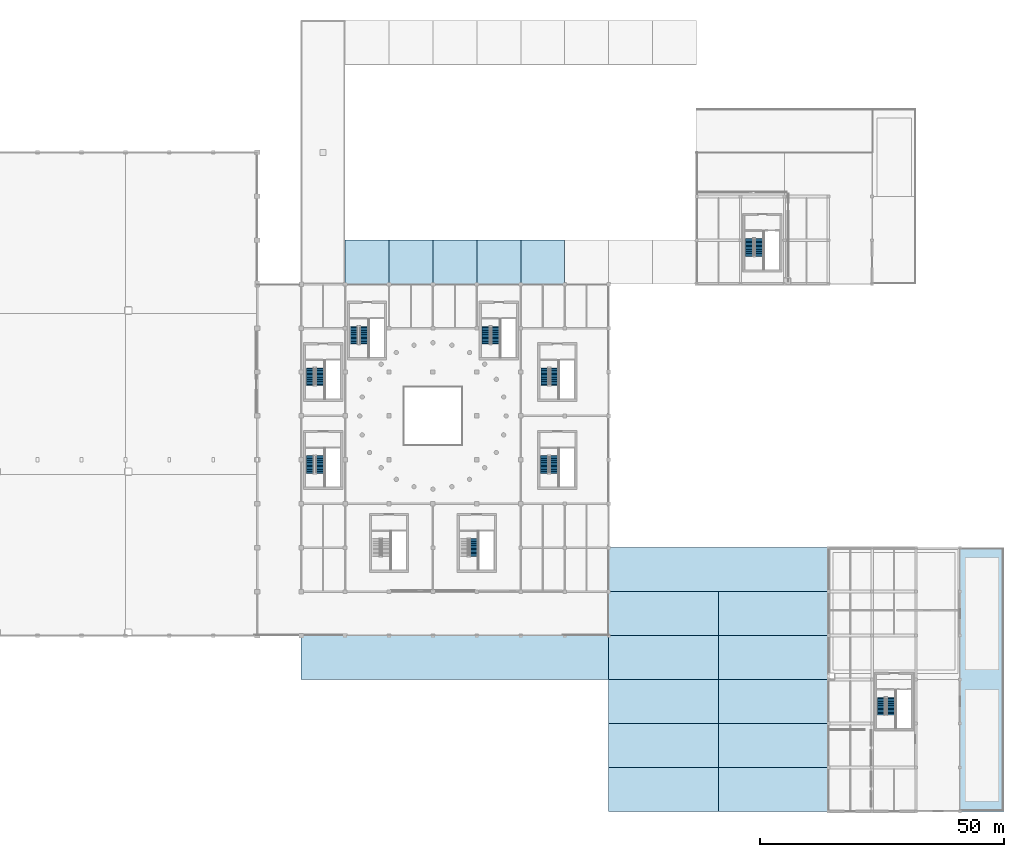
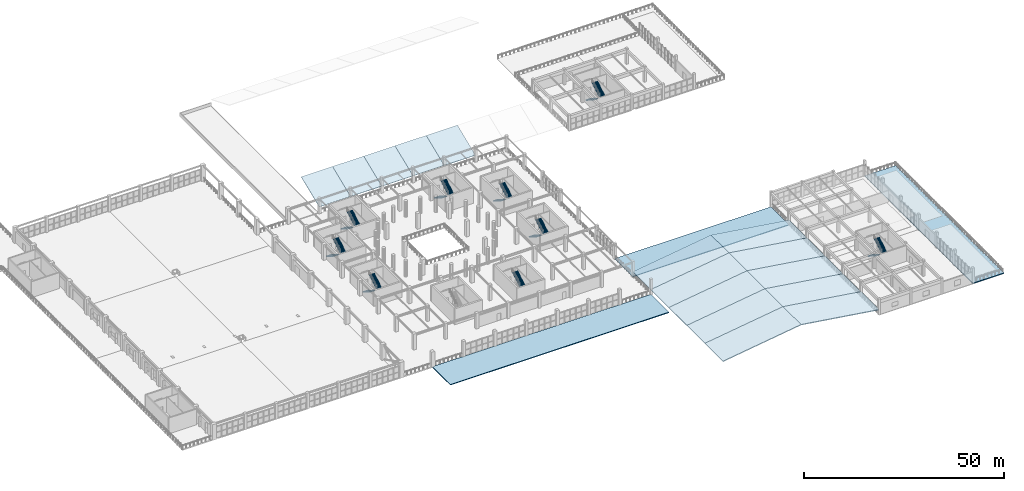
# One storey, part 68 of 89: 18 roofs, 17 stair flights, 9 elements without a shape of their own.
"""IFC4 building model written with IfcOpenShell, lengths in metres."""

import ifcopenshell
import ifcopenshell.guid

model = None  # the IFC model being written
_history = None  # IfcOwnerHistory: only IFC2X3 demands one
_inside = {}  # id of a spatial element -> (the spatial element, [elements in it])
_under = {}  # id of a project, library or spatial element -> (it, [spatial elements below it])
_declared = {}  # id of a project -> (the project, [libraries it declares])
_typed = {}  # id of a type object -> (the type object, [elements of that type])
_made_of = {}  # id of a material, layer set ... -> (it, [elements and type objects made of it])


def new_model(schema):
    """Start an empty IFC model of exactly this schema.

    Asked for "IFC4X3", IfcOpenShell would pick the latest addendum, in which some entities
    have other attributes; the version numbers below select the first issue.
    IFC2X3 requires an IfcOwnerHistory on every rooted entity: one is made here for all.
    """
    global model, _history
    if schema == "IFC4X3":
        model = ifcopenshell.file(schema_version=(4, 3, 0, 0))
    else:
        model = ifcopenshell.file(schema=schema)
    _inside.clear()
    _under.clear()
    _declared.clear()
    _typed.clear()
    _made_of.clear()
    _history = None
    if model.schema == "IFC2X3":
        org = make("IfcOrganization", Name="unknown")
        user = make(
            "IfcPersonAndOrganization",
            ThePerson=make("IfcPerson", FamilyName="unknown"),
            TheOrganization=org,
        )
        app = make(
            "IfcApplication",
            ApplicationDeveloper=org,
            Version="unknown",
            ApplicationFullName="unknown",
            ApplicationIdentifier="unknown",
        )
        _history = make(
            "IfcOwnerHistory",
            OwningUser=user,
            OwningApplication=app,
            ChangeAction="ADDED",
            CreationDate=0,
        )
    return model


def make(cls, **values):
    """One entity of the class cls with the attributes given. An attribute that is None is left unset."""
    return model.create_entity(
        cls, **{name: value for name, value in values.items() if value is not None}
    )


def rooted(cls, **values):
    """An entity with a GlobalId (a new one), such as an element, a storey or a relation."""
    return make(cls, GlobalId=ifcopenshell.guid.new(), OwnerHistory=_history, **values)


def si_unit(unit_type, name, prefix=None):
    """IfcSIUnit, for example si_unit("LENGTHUNIT", "METRE", prefix="MILLI")."""
    return make("IfcSIUnit", UnitType=unit_type, Prefix=prefix, Name=name)


def assignment(units):
    """IfcUnitAssignment: the units of a project."""
    return None if units is None else make("IfcUnitAssignment", Units=units)


def point(xyz):
    """IfcCartesianPoint."""
    return None if xyz is None else make("IfcCartesianPoint", Coordinates=xyz)


def direction(xyz):
    """IfcDirection."""
    return None if xyz is None else make("IfcDirection", DirectionRatios=xyz)


def frame(location, z_axis=None, x_axis=None):
    """IfcAxis2Placement3D, a coordinate frame: its origin and axes. An axis left out is left unset."""
    return make(
        "IfcAxis2Placement3D",
        Location=point(location),
        Axis=direction(z_axis),
        RefDirection=direction(x_axis),
    )


def origin():
    """The frame at (0, 0, 0) with its axes left unset."""
    return frame((0.0, 0.0, 0.0))


def place(relative_to, where):
    """IfcLocalPlacement: puts the frame where relative to a parent placement (None: the world)."""
    return make(
        "IfcLocalPlacement", PlacementRelTo=relative_to, RelativePlacement=where
    )


def context(
    kind, dimensions, precision=None, world=None, true_north=None, identifier=None
):
    """IfcGeometricRepresentationContext, for example the 3D "Model" context."""
    return make(
        "IfcGeometricRepresentationContext",
        ContextIdentifier=identifier,
        ContextType=kind,
        CoordinateSpaceDimension=dimensions,
        Precision=precision,
        WorldCoordinateSystem=world,
        TrueNorth=true_north,
    )


def subcontext(parent, identifier, kind, view, scale=None):
    """IfcGeometricRepresentationSubContext, for example "Body" below "Model"."""
    return make(
        "IfcGeometricRepresentationSubContext",
        ContextIdentifier=identifier,
        ContextType=kind,
        ParentContext=parent,
        TargetScale=scale,
        TargetView=view,
    )


def project(units=None, contexts=None):
    """IfcProject with its units and contexts."""
    return rooted(
        "IfcProject",
        Name="project",
        RepresentationContexts=contexts,
        UnitsInContext=assignment(units),
    )


def spatial(cls, under=None, at=None, **own):
    """A site, building, storey or space (cls), placed at a placement, below another one or the project."""
    s = rooted(cls, ObjectPlacement=at, **own)
    if under is not None:
        _under.setdefault(under.id(), (under, []))[1].append(s)
    return s


def polyline(points):
    """IfcPolyline through the points."""
    return make("IfcPolyline", Points=[point(p) for p in points])


def outline(outer, holes=None, kind="AREA"):
    """IfcArbitraryClosedProfileDef: a profile drawn as a closed curve; with holes, ...WithVoids."""
    if holes is None:
        return make("IfcArbitraryClosedProfileDef", ProfileType=kind, OuterCurve=outer)
    return make(
        "IfcArbitraryProfileDefWithVoids",
        ProfileType=kind,
        OuterCurve=outer,
        InnerCurves=holes,
    )


def extrude(swept, where, along, depth):
    """IfcExtrudedAreaSolid: the profile swept, set in the frame where, extruded along a direction by depth."""
    return make(
        "IfcExtrudedAreaSolid",
        SweptArea=swept,
        Position=where,
        ExtrudedDirection=direction(along),
        Depth=depth,
    )


def shape(context_of_items, identifier, shape_type, items):
    """IfcShapeRepresentation: the items that make up one representation, for example the "Body"."""
    return make(
        "IfcShapeRepresentation",
        ContextOfItems=context_of_items,
        RepresentationIdentifier=identifier,
        RepresentationType=shape_type,
        Items=items,
    )


def material(Name=None, Category=None):
    """IfcMaterial."""
    return make("IfcMaterial", Name=Name, Category=Category)


def layer(
    of_material, thickness, ventilated=None, Name=None, Category=None, Priority=None
):
    """IfcMaterialLayer: one layer of a wall or slab, of a material (None: an air gap)."""
    return make(
        "IfcMaterialLayer",
        Material=of_material,
        LayerThickness=thickness,
        IsVentilated=ventilated,
        Name=Name,
        Category=Category,
        Priority=Priority,
    )


def layer_set(layers, Name=None):
    """IfcMaterialLayerSet."""
    return make("IfcMaterialLayerSet", MaterialLayers=layers, LayerSetName=Name)


def made_of(thing, what):
    """Note that an element or type object is made of a material, layer set ...; save() writes the relation."""
    if what is not None:
        _made_of.setdefault(what.id(), (what, []))[1].append(thing)
    return thing


def type_object(cls, material=None, **own):
    """A type object (cls), such as IfcWallType, which elements share."""
    return made_of(rooted(cls, **own), material)


def element(
    cls,
    number,
    at=None,
    inside=None,
    cuts=None,
    type_object=None,
    material=None,
    context=None,
    identifier="Body",
    shape_type=None,
    held_by="IfcProductDefinitionShape",
    body=None,
    shapes=None,
    **own,
):
    """One element of the class cls, such as IfcWall. Its Tag is "e" and its number.

    at: its placement. inside: the storey or other place that contains it. cuts: it is an
    opening in that element (IfcRelVoidsElement). A single representation is given by context,
    identifier, shape_type and body (its items); several are given by shapes. held_by: the class
    of the entity that holds the representations. save() writes the other relations.
    """
    e = rooted(cls, Tag="e%d" % number, ObjectPlacement=at, **own)
    if body is not None:
        shapes = [shape(context, identifier, shape_type, body)]
    if shapes is not None:
        e.Representation = make(held_by, Representations=shapes)
    if inside is not None:
        _inside.setdefault(inside.id(), (inside, []))[1].append(e)
    if cuts is not None:
        rooted(
            "IfcRelVoidsElement", RelatingBuildingElement=cuts, RelatedOpeningElement=e
        )
    if type_object is not None:
        _typed.setdefault(type_object.id(), (type_object, []))[1].append(e)
    return made_of(e, material)


def aggregate(whole, parts):
    """IfcRelAggregates: a whole, such as a stair, and the parts it consists of."""
    return rooted("IfcRelAggregates", RelatingObject=whole, RelatedObjects=parts)


def save(model, path):
    """Write the relations noted so far, then the file.

    IfcRelAggregates (storeys below a building ...), IfcRelContainedInSpatialStructure (elements
    in a storey), IfcRelDefinesByType, IfcRelAssociatesMaterial and IfcRelDeclares: one each for
    every whole, place, type object, material and project.
    """
    for whole, parts in _under.values():
        aggregate(whole, parts)
    for where, things in _inside.values():
        rooted(
            "IfcRelContainedInSpatialStructure",
            RelatedElements=things,
            RelatingStructure=where,
        )
    for kind, things in _typed.values():
        rooted("IfcRelDefinesByType", RelatedObjects=things, RelatingType=kind)
    for what, things in _made_of.values():
        rooted("IfcRelAssociatesMaterial", RelatedObjects=things, RelatingMaterial=what)
    for by, libraries in _declared.values():
        rooted("IfcRelDeclares", RelatingContext=by, RelatedDefinitions=libraries)
    model.write(path)


model = new_model("IFC4")

# Units and contexts
model_context = context("Model", 3, precision=1e-05, world=origin(), true_north=direction((0.0, 1.0)))
body_context = subcontext(model_context, "Body", "Model", "MODEL_VIEW")
ifc_project = project(units=[si_unit("LENGTHUNIT", "METRE"), si_unit("AREAUNIT", "SQUARE_METRE"), si_unit("VOLUMEUNIT", "CUBIC_METRE"), si_unit("PLANEANGLEUNIT", "RADIAN"), si_unit("MASSUNIT", "GRAM", prefix="KILO")], contexts=[model_context])

# Site, building, storey
site_placement = place(None, origin())
site = spatial("IfcSite", under=ifc_project, at=site_placement, CompositionType="ELEMENT")
building_placement = place(site_placement, origin())
building = spatial("IfcBuilding", under=site, at=building_placement, Name="Dornveld Trade and Exhibition Forum", CompositionType="ELEMENT")
storey_placement = place(building_placement, frame((0.0, 0.0, 12.0)))
storey = spatial("IfcBuildingStorey", under=building, at=storey_placement, Name="L02", CompositionType="ELEMENT", Elevation=12.0)

# Stair, stair flights
ifc_material_1 = material(Name="Concrete C40/50", Category="concrete")
stair_type_1 = type_object("IfcStairType", Name="ST-2RET-480A", PredefinedType="HALF_TURN_STAIR", material=ifc_material_1)
stair_1_placement = place(storey_placement, origin())
stair_1 = element("IfcStair", 1, at=stair_1_placement, inside=storey, type_object=stair_type_1, Name="CORE-01 escape stair L02 to L03", PredefinedType="HALF_TURN_STAIR")
ifc_material_2 = material(Name="Concrete C40/50", Category="concrete")
ifc_layer_1 = layer(ifc_material_2, 0.179931640625)
ifc_layer_set_1 = layer_set([ifc_layer_1], Name="Concrete C40/50")
stair_flight_type_1 = type_object("IfcStairFlightType", Name="STF-155", PredefinedType="STRAIGHT", material=ifc_layer_set_1)
stair_flight_1_placement = place(storey_placement, frame((139.8798828125, 90.85009765625, 0.0), z_axis=(0.0, 0.0, 1.0), x_axis=(0.0, -1.0, 0.0)))
stair_flight_1 = element("IfcStairFlight", 2, at=stair_flight_1_placement, type_object=stair_flight_type_1, Name="ST-01-L02 flight 1", NumberOfRisers=14, NumberOfTreads=13, PredefinedType="STRAIGHT", RiserHeight=0.171428571, TreadLength=0.28, context=body_context, shape_type="SweptSolid", body=[
    extrude(outline(polyline([(0.0, 0.0), (0.0, 0.17138671875), (0.280029296875, 0.17138671875), (0.280029296875, 0.3427734375), (0.56005859375, 0.3427734375), (0.56005859375, 0.514404296875), (0.840087890625, 0.514404296875), (0.840087890625, 0.685791015625), (1.1201171875, 0.685791015625), (1.1201171875, 0.857177734375), (1.39990234375, 0.857177734375), (1.39990234375, 1.028564453125), (1.679931640625, 1.028564453125), (1.679931640625, 1.199951171875), (1.9599609375, 1.199951171875), (1.9599609375, 1.371337890625), (2.239990234375, 1.371337890625), (2.239990234375, 1.54296875), (2.52001953125, 1.54296875), (2.52001953125, 1.71435546875), (2.800048828125, 1.71435546875), (2.800048828125, 1.8857421875), (3.080078125, 1.8857421875), (3.080078125, 2.05712890625), (3.360107421875, 2.05712890625), (3.360107421875, 2.228515625), (3.639892578125, 2.228515625), (3.639892578125, 2.39990234375), (3.639892578125, 2.041015625), (0.30615234375, 0.0), (0.0, 0.0)])), frame((0.0, 0.77490234375, 0.0), z_axis=(0.0, -1.0, 0.0), x_axis=(1.0, 0.0, 0.0)), (0.0, 0.0, 1.0), 1.550048828125),
])
stair_flight_2_placement = place(storey_placement, frame((141.820068359375, 87.2099609375, 2.39990234375), z_axis=(0.0, 0.0, 1.0), x_axis=(0.0, 1.0, 0.0)))
stair_flight_2 = element("IfcStairFlight", 3, at=stair_flight_2_placement, type_object=stair_flight_type_1, Name="ST-01-L02 flight 2", NumberOfRisers=14, NumberOfTreads=13, PredefinedType="STRAIGHT", RiserHeight=0.171428571, TreadLength=0.28, context=body_context, shape_type="SweptSolid", body=[
    extrude(outline(polyline([(0.0, 0.0), (0.0, 0.17138671875), (0.280029296875, 0.17138671875), (0.280029296875, 0.3427734375), (0.56005859375, 0.3427734375), (0.56005859375, 0.514404296875), (0.840087890625, 0.514404296875), (0.840087890625, 0.685791015625), (1.1201171875, 0.685791015625), (1.1201171875, 0.857177734375), (1.39990234375, 0.857177734375), (1.39990234375, 1.028564453125), (1.679931640625, 1.028564453125), (1.679931640625, 1.199951171875), (1.9599609375, 1.199951171875), (1.9599609375, 1.371337890625), (2.239990234375, 1.371337890625), (2.239990234375, 1.54296875), (2.52001953125, 1.54296875), (2.52001953125, 1.71435546875), (2.800048828125, 1.71435546875), (2.800048828125, 1.8857421875), (3.080078125, 1.8857421875), (3.080078125, 2.05712890625), (3.360107421875, 2.05712890625), (3.360107421875, 2.228515625), (3.639892578125, 2.228515625), (3.639892578125, 2.39990234375), (3.639892578125, 2.041015625), (0.30615234375, 0.0), (0.0, 0.0)])), frame((0.0, 0.77490234375, 0.0), z_axis=(0.0, -1.0, 0.0), x_axis=(1.0, 0.0, 0.0)), (0.0, 0.0, 1.0), 1.550048828125),
])
aggregate(stair_1, [stair_flight_1, stair_flight_2])

stair_2_placement = place(storey_placement, origin())
stair_2 = element("IfcStair", 4, at=stair_2_placement, inside=storey, type_object=stair_type_1, Name="CORE-03 escape stair L02 to L03", PredefinedType="HALF_TURN_STAIR")
stair_flight_3_placement = place(storey_placement, frame((100.8798828125, 99.35009765625, 0.0), z_axis=(0.0, 0.0, 1.0), x_axis=(0.0, -1.0, 0.0)))
stair_flight_3 = element("IfcStairFlight", 5, at=stair_flight_3_placement, type_object=stair_flight_type_1, Name="ST-03-L02 flight 1", NumberOfRisers=14, NumberOfTreads=13, PredefinedType="STRAIGHT", RiserHeight=0.171428571, TreadLength=0.28, context=body_context, shape_type="SweptSolid", body=[
    extrude(outline(polyline([(0.0, 0.0), (0.0, 0.17138671875), (0.280029296875, 0.17138671875), (0.280029296875, 0.3427734375), (0.56005859375, 0.3427734375), (0.56005859375, 0.514404296875), (0.840087890625, 0.514404296875), (0.840087890625, 0.685791015625), (1.1201171875, 0.685791015625), (1.1201171875, 0.857177734375), (1.39990234375, 0.857177734375), (1.39990234375, 1.028564453125), (1.679931640625, 1.028564453125), (1.679931640625, 1.199951171875), (1.9599609375, 1.199951171875), (1.9599609375, 1.371337890625), (2.239990234375, 1.371337890625), (2.239990234375, 1.54296875), (2.52001953125, 1.54296875), (2.52001953125, 1.71435546875), (2.800048828125, 1.71435546875), (2.800048828125, 1.8857421875), (3.080078125, 1.8857421875), (3.080078125, 2.05712890625), (3.360107421875, 2.05712890625), (3.360107421875, 2.228515625), (3.639892578125, 2.228515625), (3.639892578125, 2.39990234375), (3.639892578125, 2.041015625), (0.30615234375, 0.0), (0.0, 0.0)])), frame((0.0, 0.77490234375, 0.0), z_axis=(0.0, -1.0, 0.0), x_axis=(1.0, 0.0, 0.0)), (0.0, 0.0, 1.0), 1.550048828125),
])
stair_flight_4_placement = place(storey_placement, frame((102.820068359375, 95.7099609375, 2.39990234375), z_axis=(0.0, 0.0, 1.0), x_axis=(0.0, 1.0, 0.0)))
stair_flight_4 = element("IfcStairFlight", 6, at=stair_flight_4_placement, type_object=stair_flight_type_1, Name="ST-03-L02 flight 2", NumberOfRisers=14, NumberOfTreads=13, PredefinedType="STRAIGHT", RiserHeight=0.171428571, TreadLength=0.28, context=body_context, shape_type="SweptSolid", body=[
    extrude(outline(polyline([(0.0, 0.0), (0.0, 0.17138671875), (0.280029296875, 0.17138671875), (0.280029296875, 0.3427734375), (0.56005859375, 0.3427734375), (0.56005859375, 0.514404296875), (0.840087890625, 0.514404296875), (0.840087890625, 0.685791015625), (1.1201171875, 0.685791015625), (1.1201171875, 0.857177734375), (1.39990234375, 0.857177734375), (1.39990234375, 1.028564453125), (1.679931640625, 1.028564453125), (1.679931640625, 1.199951171875), (1.9599609375, 1.199951171875), (1.9599609375, 1.371337890625), (2.239990234375, 1.371337890625), (2.239990234375, 1.54296875), (2.52001953125, 1.54296875), (2.52001953125, 1.71435546875), (2.800048828125, 1.71435546875), (2.800048828125, 1.8857421875), (3.080078125, 1.8857421875), (3.080078125, 2.05712890625), (3.360107421875, 2.05712890625), (3.360107421875, 2.228515625), (3.639892578125, 2.228515625), (3.639892578125, 2.39990234375), (3.639892578125, 2.041015625), (0.30615234375, 0.0), (0.0, 0.0)])), frame((0.0, 0.77490234375, 0.0), z_axis=(0.0, -1.0, 0.0), x_axis=(1.0, 0.0, 0.0)), (0.0, 0.0, 1.0), 1.550048828125),
])
aggregate(stair_2, [stair_flight_3, stair_flight_4])

stair_3_placement = place(storey_placement, origin())
stair_3 = element("IfcStair", 7, at=stair_3_placement, inside=storey, type_object=stair_type_1, Name="CORE-05 escape stair L02 to L03", PredefinedType="HALF_TURN_STAIR")
stair_flight_5_placement = place(storey_placement, frame((91.8798828125, 72.85009765625, 0.0), z_axis=(0.0, 0.0, 1.0), x_axis=(0.0, -1.0, 0.0)))
stair_flight_5 = element("IfcStairFlight", 8, at=stair_flight_5_placement, type_object=stair_flight_type_1, Name="ST-05-L02 flight 1", NumberOfRisers=14, NumberOfTreads=13, PredefinedType="STRAIGHT", RiserHeight=0.171428571, TreadLength=0.28, context=body_context, shape_type="SweptSolid", body=[
    extrude(outline(polyline([(0.0, 0.0), (0.0, 0.17138671875), (0.280029296875, 0.17138671875), (0.280029296875, 0.3427734375), (0.56005859375, 0.3427734375), (0.56005859375, 0.514404296875), (0.840087890625, 0.514404296875), (0.840087890625, 0.685791015625), (1.1201171875, 0.685791015625), (1.1201171875, 0.857177734375), (1.39990234375, 0.857177734375), (1.39990234375, 1.028564453125), (1.679931640625, 1.028564453125), (1.679931640625, 1.199951171875), (1.9599609375, 1.199951171875), (1.9599609375, 1.371337890625), (2.239990234375, 1.371337890625), (2.239990234375, 1.54296875), (2.52001953125, 1.54296875), (2.52001953125, 1.71435546875), (2.800048828125, 1.71435546875), (2.800048828125, 1.8857421875), (3.080078125, 1.8857421875), (3.080078125, 2.05712890625), (3.360107421875, 2.05712890625), (3.360107421875, 2.228515625), (3.639892578125, 2.228515625), (3.639892578125, 2.39990234375), (3.639892578125, 2.041015625), (0.30615234375, 0.0), (0.0, 0.0)])), frame((0.0, 0.77490234375, 0.0), z_axis=(0.0, -1.0, 0.0), x_axis=(1.0, 0.0, 0.0)), (0.0, 0.0, 1.0), 1.550048828125),
])
stair_flight_6_placement = place(storey_placement, frame((93.820068359375, 69.2099609375, 2.39990234375), z_axis=(0.0, 0.0, 1.0), x_axis=(0.0, 1.0, 0.0)))
stair_flight_6 = element("IfcStairFlight", 9, at=stair_flight_6_placement, type_object=stair_flight_type_1, Name="ST-05-L02 flight 2", NumberOfRisers=14, NumberOfTreads=13, PredefinedType="STRAIGHT", RiserHeight=0.171428571, TreadLength=0.28, context=body_context, shape_type="SweptSolid", body=[
    extrude(outline(polyline([(0.0, 0.0), (0.0, 0.17138671875), (0.280029296875, 0.17138671875), (0.280029296875, 0.3427734375), (0.56005859375, 0.3427734375), (0.56005859375, 0.514404296875), (0.840087890625, 0.514404296875), (0.840087890625, 0.685791015625), (1.1201171875, 0.685791015625), (1.1201171875, 0.857177734375), (1.39990234375, 0.857177734375), (1.39990234375, 1.028564453125), (1.679931640625, 1.028564453125), (1.679931640625, 1.199951171875), (1.9599609375, 1.199951171875), (1.9599609375, 1.371337890625), (2.239990234375, 1.371337890625), (2.239990234375, 1.54296875), (2.52001953125, 1.54296875), (2.52001953125, 1.71435546875), (2.800048828125, 1.71435546875), (2.800048828125, 1.8857421875), (3.080078125, 1.8857421875), (3.080078125, 2.05712890625), (3.360107421875, 2.05712890625), (3.360107421875, 2.228515625), (3.639892578125, 2.228515625), (3.639892578125, 2.39990234375), (3.639892578125, 2.041015625), (0.30615234375, 0.0), (0.0, 0.0)])), frame((0.0, 0.77490234375, 0.0), z_axis=(0.0, -1.0, 0.0), x_axis=(1.0, 0.0, 0.0)), (0.0, 0.0, 1.0), 1.550048828125),
])
aggregate(stair_3, [stair_flight_5, stair_flight_6])

# Stair, stair flight
stair_4_placement = place(storey_placement, origin())
stair_4 = element("IfcStair", 10, at=stair_4_placement, inside=storey, type_object=stair_type_1, Name="CORE-07 escape stair L02 to L03", PredefinedType="HALF_TURN_STAIR")
stair_flight_7_placement = place(storey_placement, frame((125.320068359375, 52.2099609375, 2.39990234375), z_axis=(0.0, 0.0, 1.0), x_axis=(0.0, 1.0, 0.0)))
stair_flight_7 = element("IfcStairFlight", 11, at=stair_flight_7_placement, type_object=stair_flight_type_1, Name="ST-07-L02 flight 2", NumberOfRisers=14, NumberOfTreads=13, PredefinedType="STRAIGHT", RiserHeight=0.171428571, TreadLength=0.28, context=body_context, shape_type="SweptSolid", body=[
    extrude(outline(polyline([(0.0, 0.0), (0.0, 0.17138671875), (0.280029296875, 0.17138671875), (0.280029296875, 0.3427734375), (0.56005859375, 0.3427734375), (0.56005859375, 0.514404296875), (0.840087890625, 0.514404296875), (0.840087890625, 0.685791015625), (1.1201171875, 0.685791015625), (1.1201171875, 0.857177734375), (1.39990234375, 0.857177734375), (1.39990234375, 1.028564453125), (1.679931640625, 1.028564453125), (1.679931640625, 1.199951171875), (1.9599609375, 1.199951171875), (1.9599609375, 1.371337890625), (2.239990234375, 1.371337890625), (2.239990234375, 1.54296875), (2.52001953125, 1.54296875), (2.52001953125, 1.71435546875), (2.800048828125, 1.71435546875), (2.800048828125, 1.8857421875), (3.080078125, 1.8857421875), (3.080078125, 2.05712890625), (3.360107421875, 2.05712890625), (3.360107421875, 2.228515625), (3.639892578125, 2.228515625), (3.639892578125, 2.39990234375), (3.639892578125, 2.041015625), (0.30615234375, 0.0), (0.0, 0.0)])), frame((0.0, 0.77490234375, 0.0), z_axis=(0.0, -1.0, 0.0), x_axis=(1.0, 0.0, 0.0)), (0.0, 0.0, 1.0), 1.550048828125),
])
aggregate(stair_4, [stair_flight_7])

# Stair, stair flights
stair_5_placement = place(storey_placement, origin())
stair_5 = element("IfcStair", 12, at=stair_5_placement, inside=storey, type_object=stair_type_1, Name="CORE-11 escape stair L02 to L03", PredefinedType="HALF_TURN_STAIR")
stair_flight_8_placement = place(storey_placement, frame((208.8798828125, 23.35009765625, 0.0), z_axis=(0.0, 0.0, 1.0), x_axis=(0.0, -1.0, 0.0)))
stair_flight_8 = element("IfcStairFlight", 13, at=stair_flight_8_placement, type_object=stair_flight_type_1, Name="ST-11-L02 flight 1", NumberOfRisers=14, NumberOfTreads=13, PredefinedType="STRAIGHT", RiserHeight=0.171428571, TreadLength=0.28, context=body_context, shape_type="SweptSolid", body=[
    extrude(outline(polyline([(0.0, 0.0), (0.0, 0.17138671875), (0.280029296875, 0.17138671875), (0.280029296875, 0.3427734375), (0.56005859375, 0.3427734375), (0.56005859375, 0.514404296875), (0.840087890625, 0.514404296875), (0.840087890625, 0.685791015625), (1.1201171875, 0.685791015625), (1.1201171875, 0.857177734375), (1.39990234375, 0.857177734375), (1.39990234375, 1.028564453125), (1.679931640625, 1.028564453125), (1.679931640625, 1.199951171875), (1.9599609375, 1.199951171875), (1.9599609375, 1.371337890625), (2.239990234375, 1.371337890625), (2.239990234375, 1.54296875), (2.52001953125, 1.54296875), (2.52001953125, 1.71435546875), (2.800048828125, 1.71435546875), (2.800048828125, 1.8857421875), (3.080078125, 1.8857421875), (3.080078125, 2.05712890625), (3.360107421875, 2.05712890625), (3.360107421875, 2.228515625), (3.639892578125, 2.228515625), (3.639892578125, 2.39990234375), (3.639892578125, 2.041015625), (0.30615234375, 0.0), (0.0, 0.0)])), frame((0.0, 0.77490234375, 0.0), z_axis=(0.0, -1.0, 0.0), x_axis=(1.0, 0.0, 0.0)), (0.0, 0.0, 1.0), 1.550048828125),
])
stair_flight_9_placement = place(storey_placement, frame((210.820068359375, 19.7099609375, 2.39990234375), z_axis=(0.0, 0.0, 1.0), x_axis=(0.0, 1.0, 0.0)))
stair_flight_9 = element("IfcStairFlight", 14, at=stair_flight_9_placement, type_object=stair_flight_type_1, Name="ST-11-L02 flight 2", NumberOfRisers=14, NumberOfTreads=13, PredefinedType="STRAIGHT", RiserHeight=0.171428571, TreadLength=0.28, context=body_context, shape_type="SweptSolid", body=[
    extrude(outline(polyline([(0.0, 0.0), (0.0, 0.17138671875), (0.280029296875, 0.17138671875), (0.280029296875, 0.3427734375), (0.56005859375, 0.3427734375), (0.56005859375, 0.514404296875), (0.840087890625, 0.514404296875), (0.840087890625, 0.685791015625), (1.1201171875, 0.685791015625), (1.1201171875, 0.857177734375), (1.39990234375, 0.857177734375), (1.39990234375, 1.028564453125), (1.679931640625, 1.028564453125), (1.679931640625, 1.199951171875), (1.9599609375, 1.199951171875), (1.9599609375, 1.371337890625), (2.239990234375, 1.371337890625), (2.239990234375, 1.54296875), (2.52001953125, 1.54296875), (2.52001953125, 1.71435546875), (2.800048828125, 1.71435546875), (2.800048828125, 1.8857421875), (3.080078125, 1.8857421875), (3.080078125, 2.05712890625), (3.360107421875, 2.05712890625), (3.360107421875, 2.228515625), (3.639892578125, 2.228515625), (3.639892578125, 2.39990234375), (3.639892578125, 2.041015625), (0.30615234375, 0.0), (0.0, 0.0)])), frame((0.0, 0.77490234375, 0.0), z_axis=(0.0, -1.0, 0.0), x_axis=(1.0, 0.0, 0.0)), (0.0, 0.0, 1.0), 1.550048828125),
])
aggregate(stair_5, [stair_flight_8, stair_flight_9])

ifc_material_3 = material(Name="Concrete C40/50", Category="concrete")
stair_type_2 = type_object("IfcStairType", Name="ST-2RET-480B", PredefinedType="HALF_TURN_STAIR", material=ifc_material_3)
stair_6_placement = place(storey_placement, origin())
stair_6 = element("IfcStair", 15, at=stair_6_placement, inside=storey, type_object=stair_type_2, Name="CORE-02 escape stair L02 to L03", PredefinedType="HALF_TURN_STAIR")
ifc_material_4 = material(Name="Concrete C40/50", Category="concrete")
ifc_layer_2 = layer(ifc_material_4, 0.179931640625)
ifc_layer_set_2 = layer_set([ifc_layer_2], Name="Concrete C40/50")
stair_flight_type_2 = type_object("IfcStairFlightType", Name="STF-162", PredefinedType="STRAIGHT", material=ifc_layer_set_2)
stair_flight_10_placement = place(storey_placement, frame((127.8798828125, 99.35009765625, 0.0), z_axis=(0.0, 0.0, 1.0), x_axis=(0.0, -1.0, 0.0)))
stair_flight_10 = element("IfcStairFlight", 16, at=stair_flight_10_placement, type_object=stair_flight_type_2, Name="ST-02-L02 flight 1", NumberOfRisers=14, NumberOfTreads=13, PredefinedType="STRAIGHT", RiserHeight=0.171428571, TreadLength=0.28, context=body_context, shape_type="SweptSolid", body=[
    extrude(outline(polyline([(0.0, 0.0), (0.0, 0.17138671875), (0.280029296875, 0.17138671875), (0.280029296875, 0.3427734375), (0.56005859375, 0.3427734375), (0.56005859375, 0.514404296875), (0.840087890625, 0.514404296875), (0.840087890625, 0.685791015625), (1.1201171875, 0.685791015625), (1.1201171875, 0.857177734375), (1.39990234375, 0.857177734375), (1.39990234375, 1.028564453125), (1.679931640625, 1.028564453125), (1.679931640625, 1.199951171875), (1.9599609375, 1.199951171875), (1.9599609375, 1.371337890625), (2.239990234375, 1.371337890625), (2.239990234375, 1.54296875), (2.52001953125, 1.54296875), (2.52001953125, 1.71435546875), (2.800048828125, 1.71435546875), (2.800048828125, 1.8857421875), (3.080078125, 1.8857421875), (3.080078125, 2.05712890625), (3.360107421875, 2.05712890625), (3.360107421875, 2.228515625), (3.639892578125, 2.228515625), (3.639892578125, 2.39990234375), (3.639892578125, 2.041015625), (0.30615234375, 0.0), (0.0, 0.0)])), frame((0.0, 0.81005859375, 0.0), z_axis=(0.0, -1.0, 0.0), x_axis=(1.0, 0.0, 0.0)), (0.0, 0.0, 1.0), 1.6201171875),
])
stair_flight_11_placement = place(storey_placement, frame((129.820068359375, 95.7099609375, 2.39990234375), z_axis=(0.0, 0.0, 1.0), x_axis=(0.0, 1.0, 0.0)))
stair_flight_11 = element("IfcStairFlight", 17, at=stair_flight_11_placement, type_object=stair_flight_type_2, Name="ST-02-L02 flight 2", NumberOfRisers=14, NumberOfTreads=13, PredefinedType="STRAIGHT", RiserHeight=0.171428571, TreadLength=0.28, context=body_context, shape_type="SweptSolid", body=[
    extrude(outline(polyline([(0.0, 0.0), (0.0, 0.17138671875), (0.280029296875, 0.17138671875), (0.280029296875, 0.3427734375), (0.56005859375, 0.3427734375), (0.56005859375, 0.514404296875), (0.840087890625, 0.514404296875), (0.840087890625, 0.685791015625), (1.1201171875, 0.685791015625), (1.1201171875, 0.857177734375), (1.39990234375, 0.857177734375), (1.39990234375, 1.028564453125), (1.679931640625, 1.028564453125), (1.679931640625, 1.199951171875), (1.9599609375, 1.199951171875), (1.9599609375, 1.371337890625), (2.239990234375, 1.371337890625), (2.239990234375, 1.54296875), (2.52001953125, 1.54296875), (2.52001953125, 1.71435546875), (2.800048828125, 1.71435546875), (2.800048828125, 1.8857421875), (3.080078125, 1.8857421875), (3.080078125, 2.05712890625), (3.360107421875, 2.05712890625), (3.360107421875, 2.228515625), (3.639892578125, 2.228515625), (3.639892578125, 2.39990234375), (3.639892578125, 2.041015625), (0.30615234375, 0.0), (0.0, 0.0)])), frame((0.0, 0.81005859375, 0.0), z_axis=(0.0, -1.0, 0.0), x_axis=(1.0, 0.0, 0.0)), (0.0, 0.0, 1.0), 1.6201171875),
])
aggregate(stair_6, [stair_flight_10, stair_flight_11])

stair_7_placement = place(storey_placement, origin())
stair_7 = element("IfcStair", 18, at=stair_7_placement, inside=storey, type_object=stair_type_2, Name="CORE-04 escape stair L02 to L03", PredefinedType="HALF_TURN_STAIR")
stair_flight_12_placement = place(storey_placement, frame((91.8798828125, 90.85009765625, 0.0), z_axis=(0.0, 0.0, 1.0), x_axis=(0.0, -1.0, 0.0)))
stair_flight_12 = element("IfcStairFlight", 19, at=stair_flight_12_placement, type_object=stair_flight_type_2, Name="ST-04-L02 flight 1", NumberOfRisers=14, NumberOfTreads=13, PredefinedType="STRAIGHT", RiserHeight=0.171428571, TreadLength=0.28, context=body_context, shape_type="SweptSolid", body=[
    extrude(outline(polyline([(0.0, 0.0), (0.0, 0.17138671875), (0.280029296875, 0.17138671875), (0.280029296875, 0.3427734375), (0.56005859375, 0.3427734375), (0.56005859375, 0.514404296875), (0.840087890625, 0.514404296875), (0.840087890625, 0.685791015625), (1.1201171875, 0.685791015625), (1.1201171875, 0.857177734375), (1.39990234375, 0.857177734375), (1.39990234375, 1.028564453125), (1.679931640625, 1.028564453125), (1.679931640625, 1.199951171875), (1.9599609375, 1.199951171875), (1.9599609375, 1.371337890625), (2.239990234375, 1.371337890625), (2.239990234375, 1.54296875), (2.52001953125, 1.54296875), (2.52001953125, 1.71435546875), (2.800048828125, 1.71435546875), (2.800048828125, 1.8857421875), (3.080078125, 1.8857421875), (3.080078125, 2.05712890625), (3.360107421875, 2.05712890625), (3.360107421875, 2.228515625), (3.639892578125, 2.228515625), (3.639892578125, 2.39990234375), (3.639892578125, 2.041015625), (0.30615234375, 0.0), (0.0, 0.0)])), frame((0.0, 0.81005859375, 0.0), z_axis=(0.0, -1.0, 0.0), x_axis=(1.0, 0.0, 0.0)), (0.0, 0.0, 1.0), 1.6201171875),
])
stair_flight_13_placement = place(storey_placement, frame((93.820068359375, 87.2099609375, 2.39990234375), z_axis=(0.0, 0.0, 1.0), x_axis=(0.0, 1.0, 0.0)))
stair_flight_13 = element("IfcStairFlight", 20, at=stair_flight_13_placement, type_object=stair_flight_type_2, Name="ST-04-L02 flight 2", NumberOfRisers=14, NumberOfTreads=13, PredefinedType="STRAIGHT", RiserHeight=0.171428571, TreadLength=0.28, context=body_context, shape_type="SweptSolid", body=[
    extrude(outline(polyline([(0.0, 0.0), (0.0, 0.17138671875), (0.280029296875, 0.17138671875), (0.280029296875, 0.3427734375), (0.56005859375, 0.3427734375), (0.56005859375, 0.514404296875), (0.840087890625, 0.514404296875), (0.840087890625, 0.685791015625), (1.1201171875, 0.685791015625), (1.1201171875, 0.857177734375), (1.39990234375, 0.857177734375), (1.39990234375, 1.028564453125), (1.679931640625, 1.028564453125), (1.679931640625, 1.199951171875), (1.9599609375, 1.199951171875), (1.9599609375, 1.371337890625), (2.239990234375, 1.371337890625), (2.239990234375, 1.54296875), (2.52001953125, 1.54296875), (2.52001953125, 1.71435546875), (2.800048828125, 1.71435546875), (2.800048828125, 1.8857421875), (3.080078125, 1.8857421875), (3.080078125, 2.05712890625), (3.360107421875, 2.05712890625), (3.360107421875, 2.228515625), (3.639892578125, 2.228515625), (3.639892578125, 2.39990234375), (3.639892578125, 2.041015625), (0.30615234375, 0.0), (0.0, 0.0)])), frame((0.0, 0.81005859375, 0.0), z_axis=(0.0, -1.0, 0.0), x_axis=(1.0, 0.0, 0.0)), (0.0, 0.0, 1.0), 1.6201171875),
])
aggregate(stair_7, [stair_flight_12, stair_flight_13])

stair_8_placement = place(storey_placement, origin())
stair_8 = element("IfcStair", 21, at=stair_8_placement, inside=storey, type_object=stair_type_2, Name="CORE-08 escape stair L02 to L03", PredefinedType="HALF_TURN_STAIR")
stair_flight_14_placement = place(storey_placement, frame((139.8798828125, 72.85009765625, 0.0), z_axis=(0.0, 0.0, 1.0), x_axis=(0.0, -1.0, 0.0)))
stair_flight_14 = element("IfcStairFlight", 22, at=stair_flight_14_placement, type_object=stair_flight_type_2, Name="ST-08-L02 flight 1", NumberOfRisers=14, NumberOfTreads=13, PredefinedType="STRAIGHT", RiserHeight=0.171428571, TreadLength=0.28, context=body_context, shape_type="SweptSolid", body=[
    extrude(outline(polyline([(0.0, 0.0), (0.0, 0.17138671875), (0.280029296875, 0.17138671875), (0.280029296875, 0.3427734375), (0.56005859375, 0.3427734375), (0.56005859375, 0.514404296875), (0.840087890625, 0.514404296875), (0.840087890625, 0.685791015625), (1.1201171875, 0.685791015625), (1.1201171875, 0.857177734375), (1.39990234375, 0.857177734375), (1.39990234375, 1.028564453125), (1.679931640625, 1.028564453125), (1.679931640625, 1.199951171875), (1.9599609375, 1.199951171875), (1.9599609375, 1.371337890625), (2.239990234375, 1.371337890625), (2.239990234375, 1.54296875), (2.52001953125, 1.54296875), (2.52001953125, 1.71435546875), (2.800048828125, 1.71435546875), (2.800048828125, 1.8857421875), (3.080078125, 1.8857421875), (3.080078125, 2.05712890625), (3.360107421875, 2.05712890625), (3.360107421875, 2.228515625), (3.639892578125, 2.228515625), (3.639892578125, 2.39990234375), (3.639892578125, 2.041015625), (0.30615234375, 0.0), (0.0, 0.0)])), frame((0.0, 0.81005859375, 0.0), z_axis=(0.0, -1.0, 0.0), x_axis=(1.0, 0.0, 0.0)), (0.0, 0.0, 1.0), 1.6201171875),
])
stair_flight_15_placement = place(storey_placement, frame((141.820068359375, 69.2099609375, 2.39990234375), z_axis=(0.0, 0.0, 1.0), x_axis=(0.0, 1.0, 0.0)))
stair_flight_15 = element("IfcStairFlight", 23, at=stair_flight_15_placement, type_object=stair_flight_type_2, Name="ST-08-L02 flight 2", NumberOfRisers=14, NumberOfTreads=13, PredefinedType="STRAIGHT", RiserHeight=0.171428571, TreadLength=0.28, context=body_context, shape_type="SweptSolid", body=[
    extrude(outline(polyline([(0.0, 0.0), (0.0, 0.17138671875), (0.280029296875, 0.17138671875), (0.280029296875, 0.3427734375), (0.56005859375, 0.3427734375), (0.56005859375, 0.514404296875), (0.840087890625, 0.514404296875), (0.840087890625, 0.685791015625), (1.1201171875, 0.685791015625), (1.1201171875, 0.857177734375), (1.39990234375, 0.857177734375), (1.39990234375, 1.028564453125), (1.679931640625, 1.028564453125), (1.679931640625, 1.199951171875), (1.9599609375, 1.199951171875), (1.9599609375, 1.371337890625), (2.239990234375, 1.371337890625), (2.239990234375, 1.54296875), (2.52001953125, 1.54296875), (2.52001953125, 1.71435546875), (2.800048828125, 1.71435546875), (2.800048828125, 1.8857421875), (3.080078125, 1.8857421875), (3.080078125, 2.05712890625), (3.360107421875, 2.05712890625), (3.360107421875, 2.228515625), (3.639892578125, 2.228515625), (3.639892578125, 2.39990234375), (3.639892578125, 2.041015625), (0.30615234375, 0.0), (0.0, 0.0)])), frame((0.0, 0.81005859375, 0.0), z_axis=(0.0, -1.0, 0.0), x_axis=(1.0, 0.0, 0.0)), (0.0, 0.0, 1.0), 1.6201171875),
])
aggregate(stair_8, [stair_flight_14, stair_flight_15])

stair_9_placement = place(storey_placement, origin())
stair_9 = element("IfcStair", 24, at=stair_9_placement, inside=storey, type_object=stair_type_2, Name="CORE-12 escape stair L02 to L03", PredefinedType="HALF_TURN_STAIR")
stair_flight_16_placement = place(storey_placement, frame((181.8798828125, 117.35009765625, 0.0), z_axis=(0.0, 0.0, 1.0), x_axis=(0.0, -1.0, 0.0)))
stair_flight_16 = element("IfcStairFlight", 25, at=stair_flight_16_placement, type_object=stair_flight_type_2, Name="ST-12-L02 flight 1", NumberOfRisers=14, NumberOfTreads=13, PredefinedType="STRAIGHT", RiserHeight=0.171428571, TreadLength=0.28, context=body_context, shape_type="SweptSolid", body=[
    extrude(outline(polyline([(0.0, 0.0), (0.0, 0.17138671875), (0.280029296875, 0.17138671875), (0.280029296875, 0.3427734375), (0.56005859375, 0.3427734375), (0.56005859375, 0.514404296875), (0.840087890625, 0.514404296875), (0.840087890625, 0.685791015625), (1.1201171875, 0.685791015625), (1.1201171875, 0.857177734375), (1.39990234375, 0.857177734375), (1.39990234375, 1.028564453125), (1.679931640625, 1.028564453125), (1.679931640625, 1.199951171875), (1.9599609375, 1.199951171875), (1.9599609375, 1.371337890625), (2.239990234375, 1.371337890625), (2.239990234375, 1.54296875), (2.52001953125, 1.54296875), (2.52001953125, 1.71435546875), (2.800048828125, 1.71435546875), (2.800048828125, 1.8857421875), (3.080078125, 1.8857421875), (3.080078125, 2.05712890625), (3.360107421875, 2.05712890625), (3.360107421875, 2.228515625), (3.639892578125, 2.228515625), (3.639892578125, 2.39990234375), (3.639892578125, 2.041015625), (0.30615234375, 0.0), (0.0, 0.0)])), frame((0.0, 0.81005859375, 0.0), z_axis=(0.0, -1.0, 0.0), x_axis=(1.0, 0.0, 0.0)), (0.0, 0.0, 1.0), 1.6201171875),
])
stair_flight_17_placement = place(storey_placement, frame((183.820068359375, 113.7099609375, 2.39990234375), z_axis=(0.0, 0.0, 1.0), x_axis=(0.0, 1.0, 0.0)))
stair_flight_17 = element("IfcStairFlight", 26, at=stair_flight_17_placement, type_object=stair_flight_type_2, Name="ST-12-L02 flight 2", NumberOfRisers=14, NumberOfTreads=13, PredefinedType="STRAIGHT", RiserHeight=0.171428571, TreadLength=0.28, context=body_context, shape_type="SweptSolid", body=[
    extrude(outline(polyline([(0.0, 0.0), (0.0, 0.17138671875), (0.280029296875, 0.17138671875), (0.280029296875, 0.3427734375), (0.56005859375, 0.3427734375), (0.56005859375, 0.514404296875), (0.840087890625, 0.514404296875), (0.840087890625, 0.685791015625), (1.1201171875, 0.685791015625), (1.1201171875, 0.857177734375), (1.39990234375, 0.857177734375), (1.39990234375, 1.028564453125), (1.679931640625, 1.028564453125), (1.679931640625, 1.199951171875), (1.9599609375, 1.199951171875), (1.9599609375, 1.371337890625), (2.239990234375, 1.371337890625), (2.239990234375, 1.54296875), (2.52001953125, 1.54296875), (2.52001953125, 1.71435546875), (2.800048828125, 1.71435546875), (2.800048828125, 1.8857421875), (3.080078125, 1.8857421875), (3.080078125, 2.05712890625), (3.360107421875, 2.05712890625), (3.360107421875, 2.228515625), (3.639892578125, 2.228515625), (3.639892578125, 2.39990234375), (3.639892578125, 2.041015625), (0.30615234375, 0.0), (0.0, 0.0)])), frame((0.0, 0.81005859375, 0.0), z_axis=(0.0, -1.0, 0.0), x_axis=(1.0, 0.0, 0.0)), (0.0, 0.0, 1.0), 1.6201171875),
])
aggregate(stair_9, [stair_flight_16, stair_flight_17])

# Roofs
ifc_material_5 = material(Name="Steel S355J2", Category="steel")
ifc_layer_3 = layer(ifc_material_5, 0.179931640625)
ifc_layer_set_3 = layer_set([ifc_layer_3], Name="Steel S355J2")
roof_type_1 = type_object("IfcRoofType", Name="RF-ARCH-HALL1", PredefinedType="BARREL_ROOF", material=ifc_layer_set_3)
for number, where, z_axis, x_axis, name in (
    (27, (99.0, 108.0, 1.919921875), (0.0, -0.377304069177, 0.926089433793), (1.0, 0.0, 0.0), "H1 arched roof bay 1 facet 1"),
    (28, (108.0, 108.0, 1.919921875), (0.0, -0.377304069177, 0.926089433793), (1.0, 0.0, 0.0), "H1 arched roof bay 2 facet 1"),
    (29, (117.0, 108.0, 1.919921875), (0.0, -0.377304069177, 0.926089433793), (1.0, 0.0, 0.0), "H1 arched roof bay 3 facet 1"),
    (30, (126.0, 108.0, 1.919921875), (0.0, -0.377304069177, 0.926089433793), (1.0, 0.0, 0.0), "H1 arched roof bay 4 facet 1"),
    (31, (135.0, 108.0, 1.919921875), (0.0, -0.377304069177, 0.926089433793), (1.0, 0.0, 0.0), "H1 arched roof bay 5 facet 1"),
):
    element("IfcRoof", number, at=place(storey_placement, frame(where, z_axis=z_axis, x_axis=x_axis)), inside=storey, type_object=roof_type_1, Name=name, PredefinedType="BARREL_ROOF", context=body_context, shape_type="SweptSolid", body=[
        extrude(outline(polyline([(0.0, 0.0), (9.0, 0.0), (9.0, 9.718283862867024), (0.0, 9.718283862867024), (0.0, 0.0)])), origin(), (0.0, 0.0, -1.0), 0.179931640625),
    ])
ifc_material_6 = material(Name="Concrete C40/50", Category="concrete")
ifc_layer_4 = layer(ifc_material_6, 0.219970703125)
ifc_layer_set_4 = layer_set([ifc_layer_4], Name="Concrete C40/50")
roof_type_2 = type_object("IfcRoofType", Name="RF-CONG-FOLD", PredefinedType="FLAT_ROOF", material=ifc_layer_set_4)
for number, where, z_axis, x_axis, name in (
    (32, (153.0, 0.0, 1.449951171875), (-0.14511628938, 0.0, 0.989414605995), (0.989414605995, 0.0, 0.14511628938), "Congress Hall pitched roof bay 1 W"),
    (33, (175.5, 0.0, 4.75), (0.14511628938, 0.0, 0.989414605995), (0.989414605995, 0.0, -0.14511628938), "Congress Hall pitched roof bay 1 E"),
    (34, (153.0, 9.0, 1.449951171875), (-0.14511628938, 0.0, 0.989414605995), (0.989414605995, 0.0, 0.14511628938), "Congress Hall pitched roof bay 2 W"),
    (35, (175.5, 9.0, 4.75), (0.14511628938, 0.0, 0.989414605995), (0.989414605995, 0.0, -0.14511628938), "Congress Hall pitched roof bay 2 E"),
    (36, (153.0, 18.0, 1.449951171875), (-0.14511628938, 0.0, 0.989414605995), (0.989414605995, 0.0, 0.14511628938), "Congress Hall pitched roof bay 3 W"),
    (37, (175.5, 18.0, 4.75), (0.14511628938, 0.0, 0.989414605995), (0.989414605995, 0.0, -0.14511628938), "Congress Hall pitched roof bay 3 E"),
    (38, (153.0, 27.0, 1.449951171875), (-0.14511628938, 0.0, 0.989414605995), (0.989414605995, 0.0, 0.14511628938), "Congress Hall pitched roof bay 4 W"),
    (39, (175.5, 27.0, 4.75), (0.14511628938, 0.0, 0.989414605995), (0.989414605995, 0.0, -0.14511628938), "Congress Hall pitched roof bay 4 E"),
    (40, (153.0, 36.0, 1.449951171875), (-0.14511628938, 0.0, 0.989414605995), (0.989414605995, 0.0, 0.14511628938), "Congress Hall pitched roof bay 5 W"),
    (41, (175.5, 36.0, 4.75), (0.14511628938, 0.0, 0.989414605995), (0.989414605995, 0.0, -0.14511628938), "Congress Hall pitched roof bay 5 E"),
):
    element("IfcRoof", number, at=place(storey_placement, frame(where, z_axis=z_axis, x_axis=x_axis)), inside=storey, type_object=roof_type_2, Name=name, PredefinedType="FLAT_ROOF", context=body_context, shape_type="SweptSolid", body=[
        extrude(outline(polyline([(0.0, 0.0), (22.740719475601672, 0.0), (22.740719475601672, 9.0), (0.0, 9.0), (0.0, 0.0)])), origin(), (0.0, 0.0, -1.0), 0.219970703125),
    ])
roof_1_placement = place(storey_placement, frame((0.0, 0.0, -0.219970703125)))
element("IfcRoof", 42, at=roof_1_placement, inside=storey, type_object=roof_type_2, Name="L02 planted setback roof slab 1", PredefinedType="FLAT_ROOF", context=body_context, shape_type="SweptSolid", body=[
    extrude(outline(polyline([(90.0, 27.0), (153.0, 27.0), (153.0, 36.0), (90.0, 36.0), (90.0, 27.0)])), origin(), (0.0, 0.0, 1.0), 0.219970703125),
])
roof_2_placement = place(storey_placement, frame((0.0, 0.0, -0.219970703125)))
element("IfcRoof", 43, at=roof_2_placement, inside=storey, type_object=roof_type_2, Name="L02 planted setback roof slab 2", PredefinedType="FLAT_ROOF", context=body_context, shape_type="SweptSolid", body=[
    extrude(outline(polyline([(153.0, 45.0), (198.0, 45.0), (198.0, 54.0), (153.0, 54.0), (153.0, 45.0)])), origin(), (0.0, 0.0, 1.0), 0.219970703125),
])
roof_3_placement = place(storey_placement, frame((0.0, 0.0, -0.219970703125)))
element("IfcRoof", 44, at=roof_3_placement, inside=storey, type_object=roof_type_2, Name="L02 planted setback roof slab 5", PredefinedType="FLAT_ROOF", context=body_context, shape_type="SweptSolid", body=[
    extrude(outline(polyline([(225.0, 0.0), (234.0, 0.0), (234.0, 54.0), (225.0, 54.0), (225.0, 0.0)])), origin(), (0.0, 0.0, 1.0), 0.219970703125),
])

save(model, "model.ifc")
